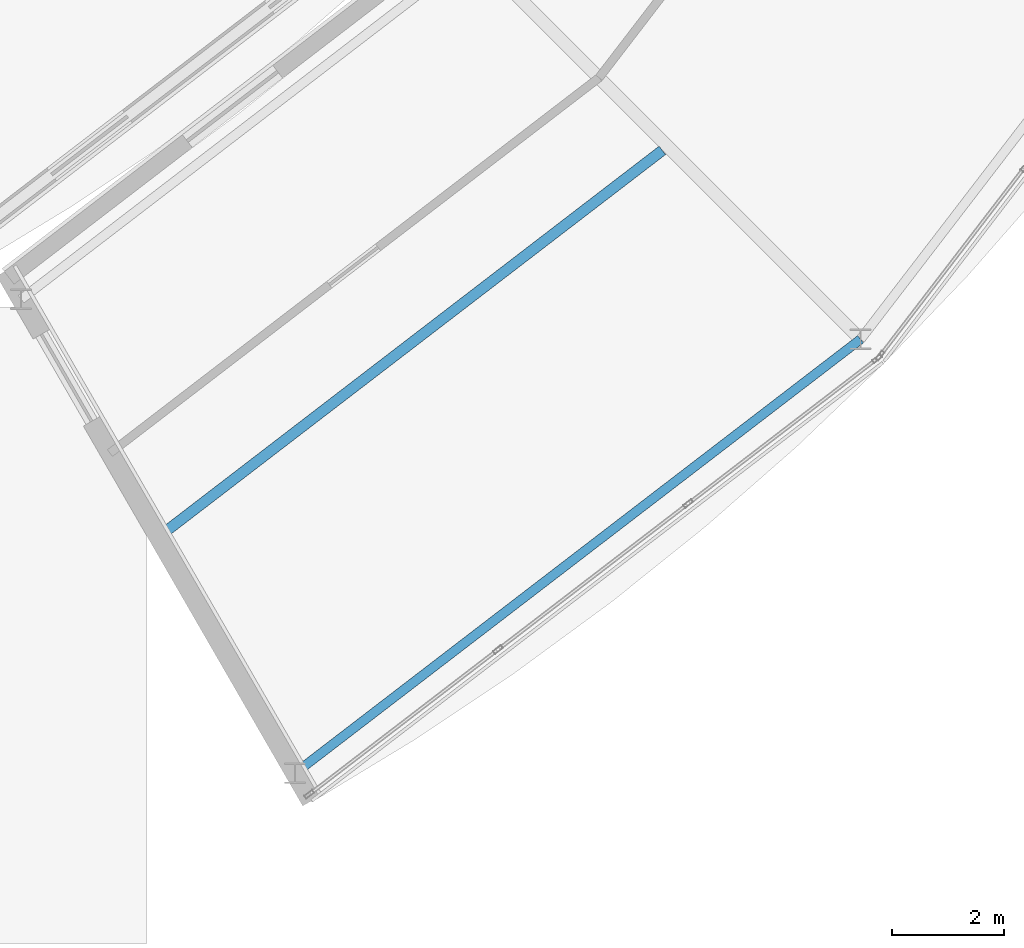
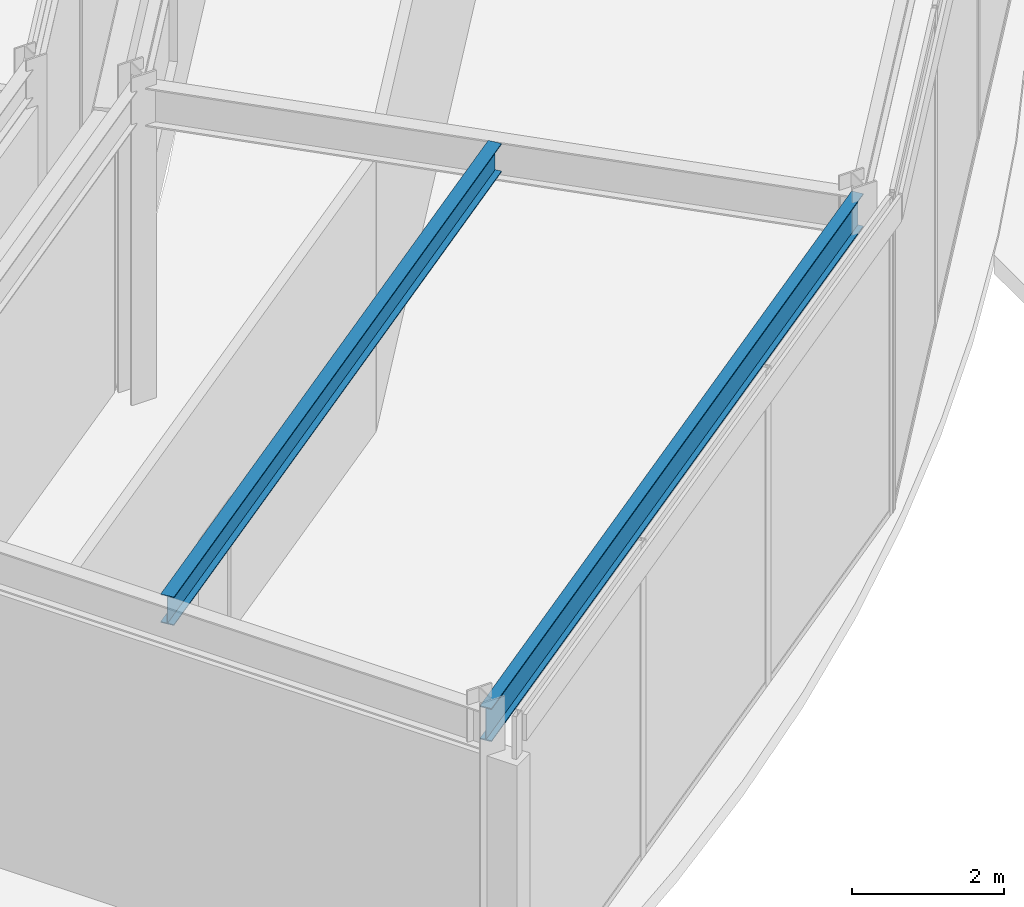
# One storey, part 46 of 168: 2 beams.
"""IFC4 building model written with IfcOpenShell, lengths in metres."""

import ifcopenshell
import ifcopenshell.guid

model = None  # the IFC model being written
_history = None  # IfcOwnerHistory: only IFC2X3 demands one
_inside = {}  # id of a spatial element -> (the spatial element, [elements in it])
_under = {}  # id of a project, library or spatial element -> (it, [spatial elements below it])
_declared = {}  # id of a project -> (the project, [libraries it declares])
_typed = {}  # id of a type object -> (the type object, [elements of that type])
_made_of = {}  # id of a material, layer set ... -> (it, [elements and type objects made of it])


def new_model(schema):
    """Start an empty IFC model of exactly this schema.

    Asked for "IFC4X3", IfcOpenShell would pick the latest addendum, in which some entities
    have other attributes; the version numbers below select the first issue.
    IFC2X3 requires an IfcOwnerHistory on every rooted entity: one is made here for all.
    """
    global model, _history
    if schema == "IFC4X3":
        model = ifcopenshell.file(schema_version=(4, 3, 0, 0))
    else:
        model = ifcopenshell.file(schema=schema)
    _inside.clear()
    _under.clear()
    _declared.clear()
    _typed.clear()
    _made_of.clear()
    _history = None
    if model.schema == "IFC2X3":
        org = make("IfcOrganization", Name="unknown")
        user = make(
            "IfcPersonAndOrganization",
            ThePerson=make("IfcPerson", FamilyName="unknown"),
            TheOrganization=org,
        )
        app = make(
            "IfcApplication",
            ApplicationDeveloper=org,
            Version="unknown",
            ApplicationFullName="unknown",
            ApplicationIdentifier="unknown",
        )
        _history = make(
            "IfcOwnerHistory",
            OwningUser=user,
            OwningApplication=app,
            ChangeAction="ADDED",
            CreationDate=0,
        )
    return model


def make(cls, **values):
    """One entity of the class cls with the attributes given. An attribute that is None is left unset."""
    return model.create_entity(
        cls, **{name: value for name, value in values.items() if value is not None}
    )


def rooted(cls, **values):
    """An entity with a GlobalId (a new one), such as an element, a storey or a relation."""
    return make(cls, GlobalId=ifcopenshell.guid.new(), OwnerHistory=_history, **values)


def si_unit(unit_type, name, prefix=None):
    """IfcSIUnit, for example si_unit("LENGTHUNIT", "METRE", prefix="MILLI")."""
    return make("IfcSIUnit", UnitType=unit_type, Prefix=prefix, Name=name)


def assignment(units):
    """IfcUnitAssignment: the units of a project."""
    return None if units is None else make("IfcUnitAssignment", Units=units)


def point(xyz):
    """IfcCartesianPoint."""
    return None if xyz is None else make("IfcCartesianPoint", Coordinates=xyz)


def direction(xyz):
    """IfcDirection."""
    return None if xyz is None else make("IfcDirection", DirectionRatios=xyz)


def frame(location, z_axis=None, x_axis=None):
    """IfcAxis2Placement3D, a coordinate frame: its origin and axes. An axis left out is left unset."""
    return make(
        "IfcAxis2Placement3D",
        Location=point(location),
        Axis=direction(z_axis),
        RefDirection=direction(x_axis),
    )


def frame_2d(location, x_axis=None):
    """IfcAxis2Placement2D, a coordinate frame in the plane: its origin and x axis."""
    return make(
        "IfcAxis2Placement2D", Location=point(location), RefDirection=direction(x_axis)
    )


def origin():
    """The frame at (0, 0, 0) with its axes left unset."""
    return frame((0.0, 0.0, 0.0))


def origin_2d():
    """The frame at (0, 0) in the plane with its x axis left unset."""
    return frame_2d((0.0, 0.0))


def place(relative_to, where):
    """IfcLocalPlacement: puts the frame where relative to a parent placement (None: the world)."""
    return make(
        "IfcLocalPlacement", PlacementRelTo=relative_to, RelativePlacement=where
    )


def context(
    kind, dimensions, precision=None, world=None, true_north=None, identifier=None
):
    """IfcGeometricRepresentationContext, for example the 3D "Model" context."""
    return make(
        "IfcGeometricRepresentationContext",
        ContextIdentifier=identifier,
        ContextType=kind,
        CoordinateSpaceDimension=dimensions,
        Precision=precision,
        WorldCoordinateSystem=world,
        TrueNorth=true_north,
    )


def subcontext(parent, identifier, kind, view, scale=None):
    """IfcGeometricRepresentationSubContext, for example "Body" below "Model"."""
    return make(
        "IfcGeometricRepresentationSubContext",
        ContextIdentifier=identifier,
        ContextType=kind,
        ParentContext=parent,
        TargetScale=scale,
        TargetView=view,
    )


def project(units=None, contexts=None):
    """IfcProject with its units and contexts."""
    return rooted(
        "IfcProject",
        Name="project",
        RepresentationContexts=contexts,
        UnitsInContext=assignment(units),
    )


def spatial(cls, under=None, at=None, **own):
    """A site, building, storey or space (cls), placed at a placement, below another one or the project."""
    s = rooted(cls, ObjectPlacement=at, **own)
    if under is not None:
        _under.setdefault(under.id(), (under, []))[1].append(s)
    return s


def profile(cls, at=None, kind="AREA", **sizes):
    """A parametric profile (cls). Its sizes go by their IFC names, for example OverallWidth=200.0."""
    return make(cls, ProfileType=kind, Position=at, **sizes)


def i_section(**sizes):
    """IfcIShapeProfileDef."""
    return profile("IfcIShapeProfileDef", **sizes)


def extrude(swept, where, along, depth):
    """IfcExtrudedAreaSolid: the profile swept, set in the frame where, extruded along a direction by depth."""
    return make(
        "IfcExtrudedAreaSolid",
        SweptArea=swept,
        Position=where,
        ExtrudedDirection=direction(along),
        Depth=depth,
    )


def shape(context_of_items, identifier, shape_type, items):
    """IfcShapeRepresentation: the items that make up one representation, for example the "Body"."""
    return make(
        "IfcShapeRepresentation",
        ContextOfItems=context_of_items,
        RepresentationIdentifier=identifier,
        RepresentationType=shape_type,
        Items=items,
    )


def material(Name=None, Category=None):
    """IfcMaterial."""
    return make("IfcMaterial", Name=Name, Category=Category)


def material_profile(
    of_material, cross_section, Name=None, Category=None, Priority=None
):
    """IfcMaterialProfile: a cross section and its material."""
    return make(
        "IfcMaterialProfile",
        Name=Name,
        Material=of_material,
        Profile=cross_section,
        Priority=Priority,
        Category=Category,
    )


def profile_set(profiles, Name=None, composite=None):
    """IfcMaterialProfileSet."""
    return make(
        "IfcMaterialProfileSet",
        Name=Name,
        MaterialProfiles=profiles,
        CompositeProfile=composite,
    )


def made_of(thing, what):
    """Note that an element or type object is made of a material, layer set ...; save() writes the relation."""
    if what is not None:
        _made_of.setdefault(what.id(), (what, []))[1].append(thing)
    return thing


def type_object(cls, material=None, **own):
    """A type object (cls), such as IfcWallType, which elements share."""
    return made_of(rooted(cls, **own), material)


def element(
    cls,
    number,
    at=None,
    inside=None,
    cuts=None,
    type_object=None,
    material=None,
    context=None,
    identifier="Body",
    shape_type=None,
    held_by="IfcProductDefinitionShape",
    body=None,
    shapes=None,
    **own,
):
    """One element of the class cls, such as IfcWall. Its Tag is "e" and its number.

    at: its placement. inside: the storey or other place that contains it. cuts: it is an
    opening in that element (IfcRelVoidsElement). A single representation is given by context,
    identifier, shape_type and body (its items); several are given by shapes. held_by: the class
    of the entity that holds the representations. save() writes the other relations.
    """
    e = rooted(cls, Tag="e%d" % number, ObjectPlacement=at, **own)
    if body is not None:
        shapes = [shape(context, identifier, shape_type, body)]
    if shapes is not None:
        e.Representation = make(held_by, Representations=shapes)
    if inside is not None:
        _inside.setdefault(inside.id(), (inside, []))[1].append(e)
    if cuts is not None:
        rooted(
            "IfcRelVoidsElement", RelatingBuildingElement=cuts, RelatedOpeningElement=e
        )
    if type_object is not None:
        _typed.setdefault(type_object.id(), (type_object, []))[1].append(e)
    return made_of(e, material)


def aggregate(whole, parts):
    """IfcRelAggregates: a whole, such as a stair, and the parts it consists of."""
    return rooted("IfcRelAggregates", RelatingObject=whole, RelatedObjects=parts)


def save(model, path):
    """Write the relations noted so far, then the file.

    IfcRelAggregates (storeys below a building ...), IfcRelContainedInSpatialStructure (elements
    in a storey), IfcRelDefinesByType, IfcRelAssociatesMaterial and IfcRelDeclares: one each for
    every whole, place, type object, material and project.
    """
    for whole, parts in _under.values():
        aggregate(whole, parts)
    for where, things in _inside.values():
        rooted(
            "IfcRelContainedInSpatialStructure",
            RelatedElements=things,
            RelatingStructure=where,
        )
    for kind, things in _typed.values():
        rooted("IfcRelDefinesByType", RelatedObjects=things, RelatingType=kind)
    for what, things in _made_of.values():
        rooted("IfcRelAssociatesMaterial", RelatedObjects=things, RelatingMaterial=what)
    for by, libraries in _declared.values():
        rooted("IfcRelDeclares", RelatingContext=by, RelatedDefinitions=libraries)
    model.write(path)


model = new_model("IFC4")

# Units and contexts
model_context = context("Model", 3, precision=1e-05, world=origin(), true_north=direction((0.0, 1.0)))
body_context = subcontext(model_context, "Body", "Model", "MODEL_VIEW")
ifc_project = project(units=[si_unit("LENGTHUNIT", "METRE"), si_unit("AREAUNIT", "SQUARE_METRE"), si_unit("VOLUMEUNIT", "CUBIC_METRE"), si_unit("PLANEANGLEUNIT", "RADIAN"), si_unit("MASSUNIT", "GRAM", prefix="KILO")], contexts=[model_context])

# Site, building, storey
site_placement = place(None, origin())
site = spatial("IfcSite", under=ifc_project, at=site_placement, CompositionType="ELEMENT")
building_placement = place(site_placement, origin())
building = spatial("IfcBuilding", under=site, at=building_placement, Name="Almandine Court Research Institute", CompositionType="ELEMENT")
storey_placement = place(building_placement, origin())
storey = spatial("IfcBuildingStorey", under=building, at=storey_placement, Name="L00", CompositionType="ELEMENT", Elevation=0.0)

# Beams
ifc_material = material(Name="Steel ASTM A992 Grade 50", Category="steel")
ifc_material_profile_1 = material_profile(ifc_material, i_section(OverallWidth=0.18994140625, OverallDepth=0.45703125, WebThickness=0.009033203125, FlangeThickness=0.014892578125, at=origin_2d()), Name="W460x74")
ifc_profile_set_1 = profile_set([ifc_material_profile_1], Name="Steel ASTM A992 Grade 50")
beam_type_1 = type_object("IfcBeamType", Name="Beam-B-01", PredefinedType="BEAM", material=ifc_profile_set_1)
beam_1_placement = place(storey_placement, frame((109.10400390625, 17.955078125, 4.794921875), z_axis=(0.793343941772, 0.608773677202, 0.0), x_axis=(-0.608773677202, 0.793343941772, 0.0)))
element("IfcBeam", 1, at=beam_1_placement, inside=storey, type_object=beam_type_1, Name="L00 Drum MID Ring Beam 20", PredefinedType="BEAM", context=body_context, shape_type="SweptSolid", body=[
    extrude(i_section(OverallWidth=0.18994140625, OverallDepth=0.45703125, WebThickness=0.009033203125, FlangeThickness=0.014892578125, at=origin_2d()), origin(), (0.0, 0.0, 1.0), 11.248779296875),
])
ifc_material_profile_2 = material_profile(ifc_material, i_section(OverallWidth=0.166015625, OverallDepth=0.534912109375, WebThickness=0.010009765625, FlangeThickness=0.01708984375, at=origin_2d()), Name="W530x85")
ifc_profile_set_2 = profile_set([ifc_material_profile_2], Name="Steel ASTM A992 Grade 50")
beam_type_2 = type_object("IfcBeamType", Name="Beam-G-05-E", PredefinedType="SPANDREL", material=ifc_profile_set_2)
beam_2_placement = place(storey_placement, frame((111.449951171875, 13.65087890625, 4.756103515625), z_axis=(0.793360662587, 0.608751886289, 0.0), x_axis=(-0.608751886289, 0.793360662587, 0.0)))
element("IfcBeam", 2, at=beam_2_placement, inside=storey, type_object=beam_type_2, Name="L00 Drum OUT Ring Beam 20", PredefinedType="SPANDREL", context=body_context, shape_type="SweptSolid", body=[
    extrude(i_section(OverallWidth=0.166015625, OverallDepth=0.534912109375, WebThickness=0.010009765625, FlangeThickness=0.01708984375, at=origin_2d()), origin(), (0.0, 0.0, 1.0), 12.765869140625),
])

save(model, "model.ifc")
